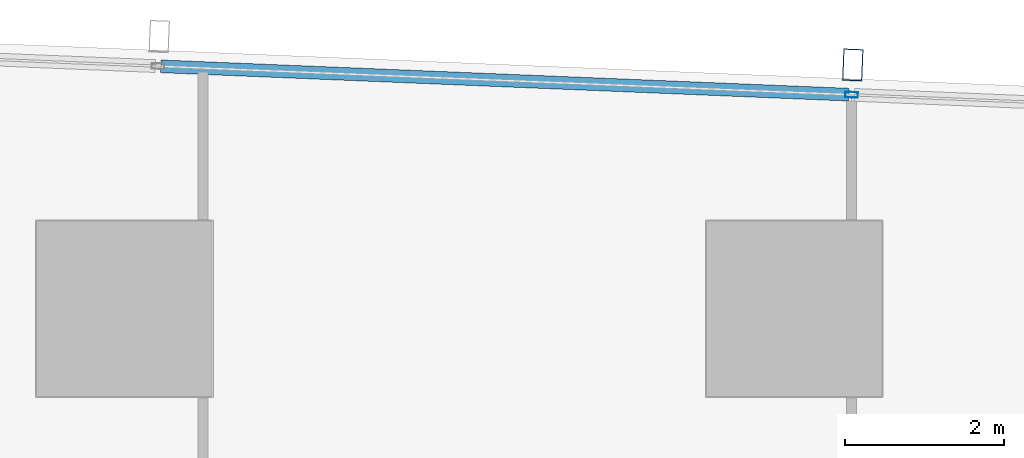
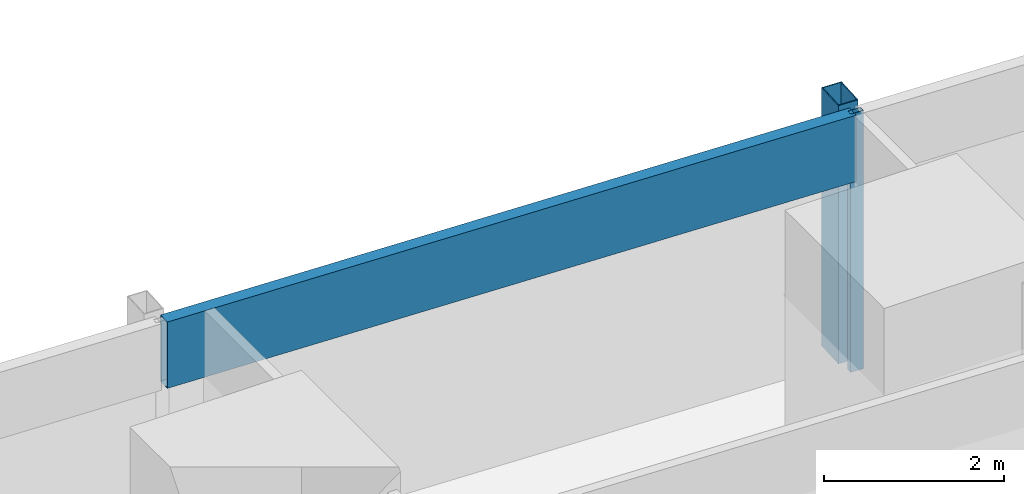
# One storey, part 21 of 44: 3 members, 1 element without a shape of its own.
"""IFC4 building model written with IfcOpenShell, lengths in metres."""

from ifc_helpers import new_model, si_unit, direction, frame, origin, origin_2d, place, context, subcontext, project, spatial, hollow_rectangle, extrude, material, material_profile, profile_set, type_object, element, aggregate, save


model = new_model("IFC4")

# Units and contexts
model_context = context("Model", 3, precision=1e-05, world=origin(), true_north=direction((0.0, 1.0)))
body_context = subcontext(model_context, "Body", "Model", "MODEL_VIEW")
ifc_project = project(units=[si_unit("LENGTHUNIT", "METRE"), si_unit("AREAUNIT", "SQUARE_METRE"), si_unit("VOLUMEUNIT", "CUBIC_METRE"), si_unit("PLANEANGLEUNIT", "RADIAN"), si_unit("MASSUNIT", "GRAM", prefix="KILO")], contexts=[model_context])

# Site, building, storey
site_placement = place(None, origin())
site = spatial("IfcSite", under=ifc_project, at=site_placement, CompositionType="ELEMENT")
building_placement = place(site_placement, origin())
building = spatial("IfcBuilding", under=site, at=building_placement, Name="Rekha Terrace Tower", CompositionType="ELEMENT")
storey_placement = place(building_placement, frame((0.0, 0.0, 62.89990234375)))
storey = spatial("IfcBuildingStorey", under=building, at=storey_placement, Name="L15", CompositionType="ELEMENT", Elevation=62.89990234375)

# Curtain wall, members
ifc_material_1 = material(Name="Aluminium framing", Category="aluminium")
curtain_wall_type = type_object("IfcCurtainWallType", Name="CW3 north unitised glazing", PredefinedType="USERDEFINED", material=ifc_material_1)
curtain_wall_placement = place(storey_placement, origin())
curtain_wall = element("IfcCurtainWall", 1, at=curtain_wall_placement, inside=storey, type_object=curtain_wall_type, Name="CW3 unitised curtain wall", ObjectType="UNITISED CURTAIN WALL", PredefinedType="USERDEFINED")
ifc_material_2 = material(Name="Steel S355 with fluorocarbon finish", Category="steel")
ifc_material_profile_1 = material_profile(ifc_material_2, hollow_rectangle(XDim=0.25, YDim=0.39990234375, WallThickness=0.012451171875, at=origin_2d()), Name="RHS400x250x12.5")
ifc_profile_set_1 = profile_set([ifc_material_profile_1], Name="Steel S355 with fluorocarbon finish")
member_type_1 = type_object("IfcMemberType", Name="BL1 facade blade RHS 400 x 250", PredefinedType="USERDEFINED", material=ifc_profile_set_1)
member_1_placement = place(storey_placement, frame((42.73388671875, 61.857421875, 0.0), z_axis=(0.0, 0.0, 1.0), x_axis=(-0.99915196507, 0.041174636562, 0.0)))
member_1 = element("IfcMember", 2, at=member_1_placement, type_object=member_type_1, Name="Facade blade", ObjectType="FACADE BLADE", PredefinedType="USERDEFINED", context=body_context, shape_type="SweptSolid", body=[
    extrude(hollow_rectangle(XDim=0.25, YDim=0.39990234375, WallThickness=0.012451171875, at=origin_2d()), origin(), (0.0, 0.0, 1.0), 3.5),
])
ifc_material_3 = material(Name="Aluminium mullion section", Category="aluminium")
ifc_material_profile_2 = material_profile(ifc_material_3, hollow_rectangle(XDim=0.070068359375, YDim=0.159912109375, WallThickness=0.00390625, at=origin_2d()), Name="AL RHS 70x160")
ifc_profile_set_2 = profile_set([ifc_material_profile_2], Name="Aluminium mullion section")
member_type_2 = type_object("IfcMemberType", Name="CW3 mullion RHS 70 x 160", PredefinedType="MULLION", material=ifc_profile_set_2)
member_2_placement = place(storey_placement, frame((42.718505859375, 61.48291015625, 0.0), z_axis=(0.0, 0.0, 1.0), x_axis=(-0.041173846041, -0.999151997647, 0.0)))
member_2 = element("IfcMember", 3, at=member_2_placement, type_object=member_type_2, Name="CW3 mullion 4", PredefinedType="MULLION", context=body_context, shape_type="SweptSolid", body=[
    extrude(hollow_rectangle(XDim=0.070068359375, YDim=0.159912109375, WallThickness=0.00390625, at=origin_2d()), origin(), (0.0, 0.0, 1.0), 3.5),
])
ifc_material_4 = material(Name="Insulated aluminium spandrel box", Category="aluminium")
ifc_material_profile_3 = material_profile(ifc_material_4, hollow_rectangle(XDim=0.159912109375, YDim=0.89990234375, WallThickness=0.0029296875, at=origin_2d()), Name="AL SPANDREL BOX 160x900")
ifc_profile_set_3 = profile_set([ifc_material_profile_3], Name="Insulated aluminium spandrel box")
member_type_3 = type_object("IfcMemberType", Name="CW3 spandrel transom 160 x 900", PredefinedType="USERDEFINED", material=ifc_profile_set_3)
member_3_placement = place(storey_placement, frame((42.68359375, 61.484375, 3.050048828125), z_axis=(-0.999152128669, 0.041170666459, 0.0), x_axis=(-0.041170666459, -0.999152128669, 0.0)))
member_3 = element("IfcMember", 4, at=member_3_placement, type_object=member_type_3, Name="CW3 spandrel transom 4", ObjectType="TRANSOM", PredefinedType="USERDEFINED", context=body_context, shape_type="SweptSolid", body=[
    extrude(hollow_rectangle(XDim=0.159912109375, YDim=0.89990234375, WallThickness=0.0029296875, at=origin_2d()), origin(), (0.0, 0.0, 1.0), 8.634033203125),
])
aggregate(curtain_wall, [member_2, member_3, member_1])

save(model, "model.ifc")
